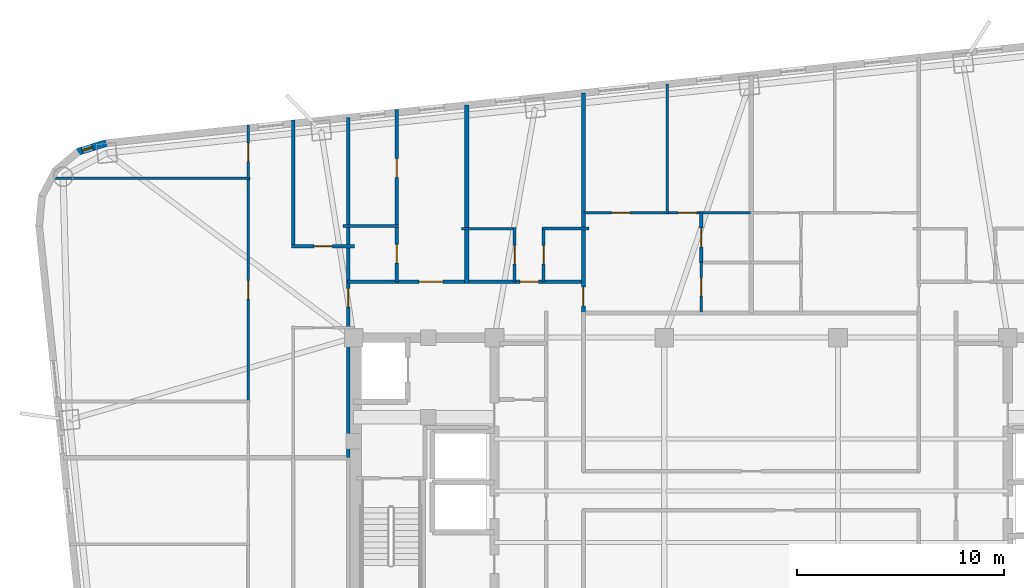
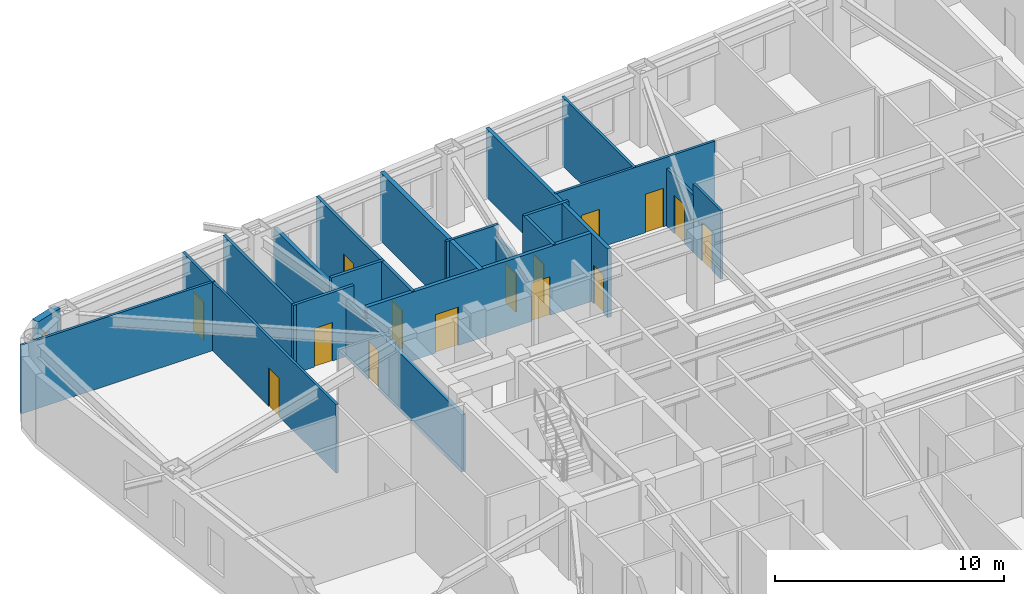
# One storey, part 8 of 12: 21 walls, 15 doors, 1 window, 16 openings.
"""IFC4 building model written with IfcOpenShell, lengths in metres."""

from ifc_helpers import new_model, si_unit, direction, frame, frame_2d, origin, place, context, subcontext, project, spatial, rectangle, extrude, material, layer, layer_set, type_object, element, fill, save


model = new_model("IFC4")

# Units and contexts
model_context = context("Model", 3, precision=1e-05, world=origin(), true_north=direction((0.0, 1.0)))
body_context = subcontext(model_context, "Body", "Model", "MODEL_VIEW")
ifc_project = project(units=[si_unit("LENGTHUNIT", "METRE"), si_unit("AREAUNIT", "SQUARE_METRE"), si_unit("VOLUMEUNIT", "CUBIC_METRE"), si_unit("PLANEANGLEUNIT", "RADIAN"), si_unit("MASSUNIT", "GRAM", prefix="KILO")], contexts=[model_context])

# Site, building, storey
site_placement = place(None, origin())
site = spatial("IfcSite", under=ifc_project, at=site_placement, CompositionType="ELEMENT")
building_placement = place(site_placement, origin())
building = spatial("IfcBuilding", under=site, at=building_placement, Name="Voryun Gate Residences", CompositionType="ELEMENT")
storey_placement = place(building_placement, frame((0.0, 0.0, 167.699951171875)))
storey = spatial("IfcBuildingStorey", under=building, at=storey_placement, Name="L41", CompositionType="ELEMENT", Elevation=167.699951171875)

# Wall, openings, doors
ifc_material_1 = material(Name="Gypsum acoustic fireboard")
ifc_layer_1 = layer(ifc_material_1, 0.179931640625, Name="W_CORR_RATED_180")
ifc_layer_set_1 = layer_set([ifc_layer_1], Name="Gypsum acoustic fireboard")
wall_type_1 = type_object("IfcWallType", Name="W_CORR_RATED_180", PredefinedType="PARTITIONING", material=ifc_layer_set_1)
wall_1_placement = place(storey_placement, frame((-19.5, 10.10009765625, 0.0), z_axis=(0.0, 0.0, 1.0), x_axis=(1.0, 0.0, 0.0)))
wall_1 = element("IfcWall", 1, at=wall_1_placement, inside=storey, type_object=wall_type_1, Name="Partition wall WP-L41-NCORR-W", PredefinedType="PARTITIONING", context=body_context, shape_type="SweptSolid", body=[
    extrude(rectangle(XDim=11.419921875, YDim=0.179931640625, at=frame_2d((5.7099609375, 0.0))), origin(), (0.0, 0.0, 1.0), 3.650146484375),
])
opening_1_placement = place(wall_1_placement, frame((3.46435546875, 0.0, 0.0)))
opening_1 = element("IfcOpeningElement", 2, at=opening_1_placement, cuts=wall_1, Name="Opening D-UNIT-1", PredefinedType="OPENING", context=body_context, shape_type="SweptSolid", body=[
    extrude(rectangle(XDim=1.14990234375, YDim=2.050048828125, at=frame_2d((0.574951171875, 1.02490234375))), frame((0.0, 0.099853515625, 0.0), z_axis=(0.0, -1.0, 0.0), x_axis=(1.0, 0.0, 0.0)), (0.0, 0.0, 1.0), 0.199951171875),
])
opening_2_placement = place(wall_1_placement, frame((8.32275390625, 0.0, 0.0)))
opening_2 = element("IfcOpeningElement", 3, at=opening_2_placement, cuts=wall_1, Name="Opening D-INT-2", PredefinedType="OPENING", context=body_context, shape_type="SweptSolid", body=[
    extrude(rectangle(XDim=0.89990234375, YDim=2.050048828125, at=frame_2d((0.449951171875, 1.02490234375))), frame((0.0, 0.099853515625, 0.0), z_axis=(0.0, -1.0, 0.0), x_axis=(1.0, 0.0, 0.0)), (0.0, 0.0, 1.0), 0.199951171875),
])
ifc_material_2 = material(Name="Architectural oak veneer")
door_type_1 = type_object("IfcDoorType", Name="DR_INT_BATH_900", OperationType="NOTDEFINED", PredefinedType="DOOR", material=ifc_material_2)
door_1_placement = place(opening_2_placement, origin())
door_1 = element("IfcDoor", 4, at=door_1_placement, inside=storey, type_object=door_type_1, Name="Door DR-L41-NENT-2", OperationType="SINGLE_SWING_RIGHT", OverallHeight=2.050048828125, OverallWidth=0.89990234375, PredefinedType="DOOR", context=body_context, shape_type="SweptSolid", body=[
    extrude(rectangle(XDim=0.89990234375, YDim=2.050048828125, at=frame_2d((0.449951171875, 1.02490234375))), frame((0.0, 0.02490234375, 0.0), z_axis=(0.0, -1.0, 0.0), x_axis=(1.0, 0.0, 0.0)), (0.0, 0.0, 1.0), 0.050048828125),
])
fill(opening_2, door_1)
ifc_material_3 = material(Name="Armoured timber-clad fire door", Category="wood")
door_type_2 = type_object("IfcDoorType", Name="DR_UNIT_ENTRY_1150", OperationType="NOTDEFINED", PredefinedType="DOOR", material=ifc_material_3)
door_2_placement = place(opening_1_placement, origin())
door_2 = element("IfcDoor", 5, at=door_2_placement, inside=storey, type_object=door_type_2, Name="Door DR-L41-NENT-1", OperationType="SINGLE_SWING_LEFT", OverallHeight=2.050048828125, OverallWidth=1.14990234375, PredefinedType="DOOR", context=body_context, shape_type="SweptSolid", body=[
    extrude(rectangle(XDim=1.14990234375, YDim=2.050048828125, at=frame_2d((0.574951171875, 1.02490234375))), frame((0.0, 0.02490234375, 0.0), z_axis=(0.0, -1.0, 0.0), x_axis=(1.0, 0.0, 0.0)), (0.0, 0.0, 1.0), 0.050048828125),
])
fill(opening_1, door_2)

# Wall, opening, door
wall_2_placement = place(storey_placement, frame((-8.10009765625, 8.590087890625, 0.0), z_axis=(0.0, 0.0, 1.0), x_axis=(0.0, 1.0, 0.0)))
wall_2 = element("IfcWall", 6, at=wall_2_placement, inside=storey, type_object=wall_type_1, Name="Partition wall WP-L41-NZV-1", PredefinedType="PARTITIONING", context=body_context, shape_type="SweptSolid", body=[
    extrude(rectangle(XDim=10.63623046875, YDim=0.179931640625, at=frame_2d((5.318115234375, 0.0))), origin(), (0.0, 0.0, 1.0), 3.650146484375),
])
opening_3_placement = place(wall_2_placement, frame((0.349853515625, 0.0, 0.0)))
opening_3 = element("IfcOpeningElement", 7, at=opening_3_placement, cuts=wall_2, Name="Opening D-INT-2", PredefinedType="OPENING", context=body_context, shape_type="SweptSolid", body=[
    extrude(rectangle(XDim=0.89990234375, YDim=2.050048828125, at=frame_2d((0.449951171875, 1.02490234375))), frame((0.0, 0.099853515625, 0.0), z_axis=(0.0, -1.0, 0.0), x_axis=(1.0, 0.0, 0.0)), (0.0, 0.0, 1.0), 0.199951171875),
])
door_3_placement = place(opening_3_placement, origin())
door_3 = element("IfcDoor", 8, at=door_3_placement, inside=storey, type_object=door_type_1, Name="Door DR-L41-NZENT-1", OperationType="SINGLE_SWING_LEFT", OverallHeight=2.050048828125, OverallWidth=0.89990234375, PredefinedType="DOOR", context=body_context, shape_type="SweptSolid", body=[
    extrude(rectangle(XDim=0.89990234375, YDim=2.050048828125, at=frame_2d((0.449951171875, 1.02490234375))), frame((0.0, 0.02490234375, 0.0), z_axis=(0.0, -1.0, 0.0), x_axis=(1.0, 0.0, 0.0)), (0.0, 0.0, 1.0), 0.050048828125),
])
fill(opening_3, door_3)

wall_3_placement = place(storey_placement, frame((-19.469970703125, 1.60009765625, 0.0), z_axis=(0.0, 0.0, 1.0), x_axis=(0.0, 1.0, 0.0)))
wall_3 = element("IfcWall", 9, at=wall_3_placement, inside=storey, type_object=wall_type_1, Name="Partition wall WP-L41-WCOR2", PredefinedType="PARTITIONING", context=body_context, shape_type="SweptSolid", body=[
    extrude(rectangle(XDim=16.431396484375, YDim=0.179931640625, at=frame_2d((8.2158203125, 0.0))), origin(), (0.0, 0.0, 1.0), 3.0400390625),
])
opening_4_placement = place(wall_3_placement, frame((7.279296875, 0.0, 0.0)))
opening_4 = element("IfcOpeningElement", 10, at=opening_4_placement, cuts=wall_3, Name="Opening D-INT-2", PredefinedType="OPENING", context=body_context, shape_type="SweptSolid", body=[
    extrude(rectangle(XDim=0.89990234375, YDim=2.050048828125, at=frame_2d((0.449951171875, 1.02490234375))), frame((0.0, 0.099853515625, 0.0), z_axis=(0.0, -1.0, 0.0), x_axis=(1.0, 0.0, 0.0)), (0.0, 0.0, 1.0), 0.199951171875),
])
door_4_placement = place(opening_4_placement, origin())
door_4 = element("IfcDoor", 11, at=door_4_placement, inside=storey, type_object=door_type_1, Name="Door DR-L41-WE2", OperationType="SINGLE_SWING_RIGHT", OverallHeight=2.050048828125, OverallWidth=0.89990234375, PredefinedType="DOOR", context=body_context, shape_type="SweptSolid", body=[
    extrude(rectangle(XDim=0.89990234375, YDim=2.050048828125, at=frame_2d((0.449951171875, 1.02490234375))), frame((0.0, 0.02490234375, 0.0), z_axis=(0.0, -1.0, 0.0), x_axis=(1.0, 0.0, 0.0)), (0.0, 0.0, 1.0), 0.050048828125),
])
fill(opening_4, door_4)

# Wall, opening, window
ifc_material_4 = material(Name="Charcoal terracotta masonry", Category="masonry")
ifc_layer_2 = layer(ifc_material_4, 0.340087890625, Name="W_EXT_TERRACOTTA_340")
ifc_layer_set_2 = layer_set([ifc_layer_2], Name="Charcoal terracotta masonry")
wall_type_2 = type_object("IfcWallType", Name="W_EXT_TERRACOTTA_340", PredefinedType="ELEMENTEDWALL", material=ifc_layer_set_2)
wall_4_placement = place(storey_placement, frame((-32.523193359375, 16.37841796875, 0.0), z_axis=(0.0, 0.0, 1.0), x_axis=(0.9549942197, 0.296624409546, 0.0)))
wall_4 = element("IfcWall", 12, at=wall_4_placement, inside=storey, type_object=wall_type_2, Name="Exterior wall WEXT-L41-10", PredefinedType="ELEMENTEDWALL", context=body_context, shape_type="SweptSolid", body=[
    extrude(rectangle(XDim=1.43212890625, YDim=0.340087890625, at=frame_2d((0.716064453125, 0.0))), origin(), (0.0, 0.0, 1.0), 3.650146484375),
])
opening_5_placement = place(wall_4_placement, frame((0.216064453125, 0.0, 0.75)))
opening_5 = element("IfcOpeningElement", 13, at=opening_5_placement, cuts=wall_4, Name="Opening WN10", PredefinedType="OPENING", context=body_context, shape_type="SweptSolid", body=[
    extrude(rectangle(XDim=0.52001953125, YDim=2.050048828125, at=frame_2d((0.260009765625, 1.02490234375))), frame((0.0, 0.179931640625, 0.0), z_axis=(0.0, -1.0, 0.0), x_axis=(1.0, 0.0, 0.0)), (0.0, 0.0, 1.0), 0.360107421875),
])
ifc_material_5 = material(Name="Laminated low-E glass", Category="glass")
window_type = type_object("IfcWindowType", Name="WN_PAGODA_LANCET_520", PartitioningType="SINGLE_PANEL", PredefinedType="WINDOW", material=ifc_material_5)
window_placement = place(opening_5_placement, origin())
window = element("IfcWindow", 14, at=window_placement, inside=storey, type_object=window_type, Name="Window WN-L41-DWFIX-24", OverallHeight=2.050048828125, OverallWidth=0.52001953125, PartitioningType="SINGLE_PANEL", PredefinedType="WINDOW", context=body_context, shape_type="SweptSolid", body=[
    extrude(rectangle(XDim=0.52001953125, YDim=2.050048828125, at=frame_2d((0.260009765625, 1.02490234375))), frame((0.0, 0.030029296875, 0.0), z_axis=(0.0, -1.0, 0.0), x_axis=(1.0, 0.0, 0.0)), (0.0, 0.0, 1.0), 0.06005859375),
])
fill(opening_5, window)

# Wall
ifc_material_6 = material(Name="Concrete C40/50", Category="concrete")
ifc_layer_3 = layer(ifc_material_6, 0.219970703125, Name="W_PARTY_ACOUSTIC_220")
ifc_layer_set_3 = layer_set([ifc_layer_3], Name="Concrete C40/50")
wall_type_3 = type_object("IfcWallType", Name="W_PARTY_ACOUSTIC_220", PredefinedType="PARTITIONING", material=ifc_layer_set_3)
wall_5_placement = place(storey_placement, frame((-13.739990234375, 10.02001953125, 0.0), z_axis=(0.0, 0.0, 1.0), x_axis=(0.0, 1.0, 0.0)))
element("IfcWall", 15, at=wall_5_placement, inside=storey, type_object=wall_type_3, Name="Partition wall WP-L41-NPTY-1", PredefinedType="PARTITIONING", context=body_context, shape_type="SweptSolid", body=[
    extrude(rectangle(XDim=8.613525390625, YDim=0.219970703125, at=frame_2d((4.306640625, 0.0))), origin(), (0.0, 0.0, 1.0), 3.650146484375),
])

# Wall, opening, door
ifc_material_7 = material(Name="Gypsum acoustic partition")
ifc_layer_4 = layer(ifc_material_7, 0.125, Name="W_UNIT_PART_125")
ifc_layer_set_4 = layer_set([ifc_layer_4], Name="Gypsum acoustic partition")
wall_type_4 = type_object("IfcWallType", Name="W_UNIT_PART_125", PredefinedType="PARTITIONING", material=ifc_layer_set_4)
wall_6_placement = place(storey_placement, frame((-11.429931640625, 10.080078125, 0.0), z_axis=(0.0, 0.0, 1.0), x_axis=(0.0, 1.0, 0.0)))
wall_6 = element("IfcWall", 16, at=wall_6_placement, inside=storey, type_object=wall_type_4, Name="Partition wall WP-L41-N2-CVK", PredefinedType="PARTITIONING", context=body_context, shape_type="SweptSolid", body=[
    extrude(rectangle(XDim=2.64990234375, YDim=0.125, at=frame_2d((1.324951171875, 0.0))), origin(), (0.0, 0.0, 1.0), 3.0400390625),
])
opening_6_placement = place(wall_6_placement, frame((0.875, 0.0, 0.0)))
opening_6 = element("IfcOpeningElement", 17, at=opening_6_placement, cuts=wall_6, Name="Opening D-INT-2", PredefinedType="OPENING", context=body_context, shape_type="SweptSolid", body=[
    extrude(rectangle(XDim=0.89990234375, YDim=2.050048828125, at=frame_2d((0.449951171875, 1.02490234375))), frame((0.0, 0.072509765625, 0.0), z_axis=(0.0, -1.0, 0.0), x_axis=(1.0, 0.0, 0.0)), (0.0, 0.0, 1.0), 0.14501953125),
])
door_5_placement = place(opening_6_placement, origin())
door_5 = element("IfcDoor", 18, at=door_5_placement, inside=storey, type_object=door_type_1, Name="Door DR-L41-N2-DK", OperationType="SINGLE_SWING_LEFT", OverallHeight=2.050048828125, OverallWidth=0.89990234375, PredefinedType="DOOR", context=body_context, shape_type="SweptSolid", body=[
    extrude(rectangle(XDim=0.89990234375, YDim=2.050048828125, at=frame_2d((0.449951171875, 1.02490234375))), frame((0.0, 0.02490234375, 0.0), z_axis=(0.0, -1.0, 0.0), x_axis=(1.0, 0.0, 0.0)), (0.0, 0.0, 1.0), 0.050048828125),
])
fill(opening_6, door_5)

# Wall
wall_7_placement = place(storey_placement, frame((-14.0, 12.669921875, 0.0), z_axis=(0.0, 0.0, 1.0), x_axis=(1.0, 0.0, 0.0)))
element("IfcWall", 19, at=wall_7_placement, inside=storey, type_object=wall_type_4, Name="Partition wall WP-L41-N2-CHK", PredefinedType="PARTITIONING", context=body_context, shape_type="SweptSolid", body=[
    extrude(rectangle(XDim=2.6298828125, YDim=0.125, at=frame_2d((1.31494140625, 0.0))), origin(), (0.0, 0.0, 1.0), 3.650146484375),
])

# Wall, openings, doors
wall_8_placement = place(storey_placement, frame((-8.080078125, 13.429931640625, 0.0), z_axis=(0.0, 0.0, 1.0), x_axis=(1.0, 0.0, 0.0)))
wall_8 = element("IfcWall", 20, at=wall_8_placement, inside=storey, type_object=wall_type_4, Name="Partition wall WP-L41-NC1-HZ", PredefinedType="PARTITIONING", context=body_context, shape_type="SweptSolid", body=[
    extrude(rectangle(XDim=8.06005859375, YDim=0.125, at=frame_2d((4.030029296875, 0.0))), origin(), (0.0, 0.0, 1.0), 3.650146484375),
])
opening_7_placement = place(wall_8_placement, frame((1.3232421875, 0.0, 0.0)))
opening_7 = element("IfcOpeningElement", 21, at=opening_7_placement, cuts=wall_8, Name="Opening D-INT-2", PredefinedType="OPENING", context=body_context, shape_type="SweptSolid", body=[
    extrude(rectangle(XDim=0.89990234375, YDim=2.050048828125, at=frame_2d((0.449951171875, 1.02490234375))), frame((0.0, 0.072509765625, 0.0), z_axis=(0.0, -1.0, 0.0), x_axis=(1.0, 0.0, 0.0)), (0.0, 0.0, 1.0), 0.14501953125),
])
opening_8_placement = place(wall_8_placement, frame((4.547119140625, 0.0, 0.0)))
opening_8 = element("IfcOpeningElement", 22, at=opening_8_placement, cuts=wall_8, Name="Opening D-INT-2", PredefinedType="OPENING", context=body_context, shape_type="SweptSolid", body=[
    extrude(rectangle(XDim=0.89990234375, YDim=2.050048828125, at=frame_2d((0.449951171875, 1.02490234375))), frame((0.0, 0.072509765625, 0.0), z_axis=(0.0, -1.0, 0.0), x_axis=(1.0, 0.0, 0.0)), (0.0, 0.0, 1.0), 0.14501953125),
])
door_6_placement = place(opening_7_placement, origin())
door_6 = element("IfcDoor", 23, at=door_6_placement, inside=storey, type_object=door_type_1, Name="Door DR-L41-NC1-DMB", OperationType="SINGLE_SWING_LEFT", OverallHeight=2.050048828125, OverallWidth=0.89990234375, PredefinedType="DOOR", context=body_context, shape_type="SweptSolid", body=[
    extrude(rectangle(XDim=0.89990234375, YDim=2.050048828125, at=frame_2d((0.449951171875, 1.02490234375))), frame((0.0, 0.02490234375, 0.0), z_axis=(0.0, -1.0, 0.0), x_axis=(1.0, 0.0, 0.0)), (0.0, 0.0, 1.0), 0.050048828125),
])
fill(opening_7, door_6)
door_7_placement = place(opening_8_placement, origin())
door_7 = element("IfcDoor", 24, at=door_7_placement, inside=storey, type_object=door_type_1, Name="Door DR-L41-NC1-DBD2", OperationType="SINGLE_SWING_RIGHT", OverallHeight=2.050048828125, OverallWidth=0.89990234375, PredefinedType="DOOR", context=body_context, shape_type="SweptSolid", body=[
    extrude(rectangle(XDim=0.89990234375, YDim=2.050048828125, at=frame_2d((0.449951171875, 1.02490234375))), frame((0.0, 0.02490234375, 0.0), z_axis=(0.0, -1.0, 0.0), x_axis=(1.0, 0.0, 0.0)), (0.0, 0.0, 1.0), 0.050048828125),
])
fill(opening_8, door_7)

# Wall, opening, door
wall_9_placement = place(storey_placement, frame((-2.409912109375, 8.64990234375, 0.0), z_axis=(0.0, 0.0, 1.0), x_axis=(0.0, 1.0, 0.0)))
wall_9 = element("IfcWall", 25, at=wall_9_placement, inside=storey, type_object=wall_type_4, Name="Partition wall WP-L41-NC1-VK1", PredefinedType="PARTITIONING", context=body_context, shape_type="SweptSolid", body=[
    extrude(rectangle(XDim=2.41015625, YDim=0.125, at=frame_2d((1.205078125, 0.0))), origin(), (0.0, 0.0, 1.0), 3.650146484375),
])
opening_9_placement = place(wall_9_placement, frame((0.7548828125, 0.0, 0.0)))
opening_9 = element("IfcOpeningElement", 26, at=opening_9_placement, cuts=wall_9, Name="Opening D-INT-2", PredefinedType="OPENING", context=body_context, shape_type="SweptSolid", body=[
    extrude(rectangle(XDim=0.89990234375, YDim=2.050048828125, at=frame_2d((0.449951171875, 1.02490234375))), frame((0.0, 0.072509765625, 0.0), z_axis=(0.0, -1.0, 0.0), x_axis=(1.0, 0.0, 0.0)), (0.0, 0.0, 1.0), 0.14501953125),
])
door_8_placement = place(opening_9_placement, origin())
door_8 = element("IfcDoor", 27, at=door_8_placement, inside=storey, type_object=door_type_1, Name="Door DR-L41-NC1-DK", OperationType="SINGLE_SWING_LEFT", OverallHeight=2.050048828125, OverallWidth=0.89990234375, PredefinedType="DOOR", context=body_context, shape_type="SweptSolid", body=[
    extrude(rectangle(XDim=0.89990234375, YDim=2.050048828125, at=frame_2d((0.449951171875, 1.02490234375))), frame((0.0, 0.02490234375, 0.0), z_axis=(0.0, -1.0, 0.0), x_axis=(1.0, 0.0, 0.0)), (0.0, 0.0, 1.0), 0.050048828125),
])
fill(opening_9, door_8)

# Walls
wall_10_placement = place(storey_placement, frame((-4.050048828125, 13.389892578125, 0.0), z_axis=(0.0, 0.0, 1.0), x_axis=(0.0, 1.0, 0.0)))
element("IfcWall", 28, at=wall_10_placement, inside=storey, type_object=wall_type_4, Name="Partition wall WP-L41-NC1-VBD", PredefinedType="PARTITIONING", context=body_context, shape_type="SweptSolid", body=[
    extrude(rectangle(XDim=6.26220703125, YDim=0.125, at=frame_2d((3.131103515625, 0.0))), origin(), (0.0, 0.0, 1.0), 3.650146484375),
])
wall_11_placement = place(storey_placement, frame((-33.978271484375, 15.097900390625, 0.0), z_axis=(0.0, 0.0, 1.0), x_axis=(1.0, 0.0, 0.0)))
element("IfcWall", 29, at=wall_11_placement, inside=storey, type_object=wall_type_4, Name="Partition wall WP-L41-W2-OH2", PredefinedType="PARTITIONING", context=body_context, shape_type="SweptSolid", body=[
    extrude(rectangle(XDim=9.75830078125, YDim=0.125, at=frame_2d((4.879150390625, 0.0))), origin(), (0.0, 0.0, 1.0), 3.650146484375),
])

# Wall, opening, door
wall_12_placement = place(storey_placement, frame((-24.300048828125, 4.264892578125, 0.0), z_axis=(0.0, 0.0, 1.0), x_axis=(0.0, 1.0, 0.0)))
wall_12 = element("IfcWall", 30, at=wall_12_placement, inside=storey, type_object=wall_type_4, Name="Partition wall WP-L41-W2-OVX2", PredefinedType="PARTITIONING", context=body_context, shape_type="SweptSolid", body=[
    extrude(rectangle(XDim=10.883056640625, YDim=0.125, at=frame_2d((5.44140625, 0.0))), origin(), (0.0, 0.0, 1.0), 3.650146484375),
])
opening_10_placement = place(wall_12_placement, frame((4.991455078125, 0.0, 0.0)))
opening_10 = element("IfcOpeningElement", 31, at=opening_10_placement, cuts=wall_12, Name="Opening D-INT-2", PredefinedType="OPENING", context=body_context, shape_type="SweptSolid", body=[
    extrude(rectangle(XDim=0.89990234375, YDim=2.050048828125, at=frame_2d((0.449951171875, 1.02490234375))), frame((0.0, 0.072509765625, 0.0), z_axis=(0.0, -1.0, 0.0), x_axis=(1.0, 0.0, 0.0)), (0.0, 0.0, 1.0), 0.14501953125),
])
door_9_placement = place(opening_10_placement, origin())
door_9 = element("IfcDoor", 32, at=door_9_placement, inside=storey, type_object=door_type_1, Name="Door DR-L41-W2-DSTD", OperationType="SINGLE_SWING_RIGHT", OverallHeight=2.050048828125, OverallWidth=0.89990234375, PredefinedType="DOOR", context=body_context, shape_type="SweptSolid", body=[
    extrude(rectangle(XDim=0.89990234375, YDim=2.050048828125, at=frame_2d((0.449951171875, 1.02490234375))), frame((0.0, 0.02490234375, 0.0), z_axis=(0.0, -1.0, 0.0), x_axis=(1.0, 0.0, 0.0)), (0.0, 0.0, 1.0), 0.050048828125),
])
fill(opening_10, door_9)

wall_13_placement = place(storey_placement, frame((-24.300048828125, 15.048095703125, 0.0), z_axis=(0.0, 0.0, 1.0), x_axis=(0.0, 1.0, 0.0)))
wall_13 = element("IfcWall", 33, at=wall_13_placement, inside=storey, type_object=wall_type_4, Name="Partition wall WP-L41-W2-OVX3", PredefinedType="PARTITIONING", context=body_context, shape_type="SweptSolid", body=[
    extrude(rectangle(XDim=2.62646484375, YDim=0.125, at=frame_2d((1.313232421875, 0.0))), origin(), (0.0, 0.0, 1.0), 3.650146484375),
])
opening_11_placement = place(wall_13_placement, frame((0.86328125, 0.0, 0.0)))
opening_11 = element("IfcOpeningElement", 34, at=opening_11_placement, cuts=wall_13, Name="Opening D-INT-2", PredefinedType="OPENING", context=body_context, shape_type="SweptSolid", body=[
    extrude(rectangle(XDim=0.89990234375, YDim=2.050048828125, at=frame_2d((0.449951171875, 1.02490234375))), frame((0.0, 0.072509765625, 0.0), z_axis=(0.0, -1.0, 0.0), x_axis=(1.0, 0.0, 0.0)), (0.0, 0.0, 1.0), 0.14501953125),
])
door_10_placement = place(opening_11_placement, origin())
door_10 = element("IfcDoor", 35, at=door_10_placement, inside=storey, type_object=door_type_1, Name="Door DR-L41-W2-DMB", OperationType="SINGLE_SWING_LEFT", OverallHeight=2.050048828125, OverallWidth=0.89990234375, PredefinedType="DOOR", context=body_context, shape_type="SweptSolid", body=[
    extrude(rectangle(XDim=0.89990234375, YDim=2.050048828125, at=frame_2d((0.449951171875, 1.02490234375))), frame((0.0, 0.02490234375, 0.0), z_axis=(0.0, -1.0, 0.0), x_axis=(1.0, 0.0, 0.0)), (0.0, 0.0, 1.0), 0.050048828125),
])
fill(opening_11, door_10)

# Wall
ifc_material_8 = material(Name="Gypsum moisture-resistant partition")
ifc_layer_5 = layer(ifc_material_8, 0.14990234375, Name="W_WET_PLUMB_150")
ifc_layer_set_5 = layer_set([ifc_layer_5], Name="Gypsum moisture-resistant partition")
wall_type_5 = type_object("IfcWallType", Name="W_WET_PLUMB_150", PredefinedType="PLUMBINGWALL", material=ifc_layer_set_5)
wall_14_placement = place(storey_placement, frame((-19.719970703125, 12.800048828125, 0.0), z_axis=(0.0, 0.0, 1.0), x_axis=(1.0, 0.0, 0.0)))
element("IfcWall", 36, at=wall_14_placement, inside=storey, type_object=wall_type_5, Name="Partition wall WP-L41-N1-SKB", PredefinedType="PLUMBINGWALL", context=body_context, shape_type="SweptSolid", body=[
    extrude(rectangle(XDim=2.678955078125, YDim=0.14990234375, at=frame_2d((1.33935546875, 0.0))), origin(), (0.0, 0.0, 1.0), 3.650146484375),
])

# Wall, opening, door
wall_15_placement = place(storey_placement, frame((-17.12109375, 10.080078125, 0.0), z_axis=(0.0, 0.0, 1.0), x_axis=(0.0, 1.0, 0.0)))
wall_15 = element("IfcWall", 37, at=wall_15_placement, inside=storey, type_object=wall_type_5, Name="Partition wall WP-L41-N1-SVT1", PredefinedType="PLUMBINGWALL", context=body_context, shape_type="SweptSolid", body=[
    extrude(rectangle(XDim=2.760009765625, YDim=0.14990234375, at=frame_2d((1.3798828125, 0.0))), origin(), (0.0, 0.0, 1.0), 3.650146484375),
])
opening_12_placement = place(wall_15_placement, frame((0.929931640625, 0.0, 0.0)))
opening_12 = element("IfcOpeningElement", 38, at=opening_12_placement, cuts=wall_15, Name="Opening D-INT-2", PredefinedType="OPENING", context=body_context, shape_type="SweptSolid", body=[
    extrude(rectangle(XDim=0.89990234375, YDim=2.050048828125, at=frame_2d((0.449951171875, 1.02490234375))), frame((0.0, 0.0849609375, 0.0), z_axis=(0.0, -1.0, 0.0), x_axis=(1.0, 0.0, 0.0)), (0.0, 0.0, 1.0), 0.169921875),
])
door_11_placement = place(opening_12_placement, origin())
door_11 = element("IfcDoor", 39, at=door_11_placement, inside=storey, type_object=door_type_1, Name="Door DR-L41-N1-DB", OperationType="SINGLE_SWING_LEFT", OverallHeight=2.050048828125, OverallWidth=0.89990234375, PredefinedType="DOOR", context=body_context, shape_type="SweptSolid", body=[
    extrude(rectangle(XDim=0.89990234375, YDim=2.050048828125, at=frame_2d((0.449951171875, 1.02490234375))), frame((0.0, 0.02490234375, 0.0), z_axis=(0.0, -1.0, 0.0), x_axis=(1.0, 0.0, 0.0)), (0.0, 0.0, 1.0), 0.050048828125),
])
fill(opening_12, door_11)

wall_16_placement = place(storey_placement, frame((-17.12109375, 12.760009765625, 0.0), z_axis=(0.0, 0.0, 1.0), x_axis=(0.0, 1.0, 0.0)))
wall_16 = element("IfcWall", 40, at=wall_16_placement, inside=storey, type_object=wall_type_5, Name="Partition wall WP-L41-N1-SVT2", PredefinedType="PLUMBINGWALL", context=body_context, shape_type="SweptSolid", body=[
    extrude(rectangle(XDim=5.669189453125, YDim=0.14990234375, at=frame_2d((2.83447265625, 0.0))), origin(), (0.0, 0.0, 1.0), 3.650146484375),
])
opening_13_placement = place(wall_16_placement, frame((2.384521484375, 0.0, 0.0)))
opening_13 = element("IfcOpeningElement", 41, at=opening_13_placement, cuts=wall_16, Name="Opening D-INT-2", PredefinedType="OPENING", context=body_context, shape_type="SweptSolid", body=[
    extrude(rectangle(XDim=0.89990234375, YDim=2.050048828125, at=frame_2d((0.449951171875, 1.02490234375))), frame((0.0, 0.0849609375, 0.0), z_axis=(0.0, -1.0, 0.0), x_axis=(1.0, 0.0, 0.0)), (0.0, 0.0, 1.0), 0.169921875),
])
door_12_placement = place(opening_13_placement, origin())
door_12 = element("IfcDoor", 42, at=door_12_placement, inside=storey, type_object=door_type_1, Name="Door DR-L41-N1-DK", OperationType="SINGLE_SWING_RIGHT", OverallHeight=2.050048828125, OverallWidth=0.89990234375, PredefinedType="DOOR", context=body_context, shape_type="SweptSolid", body=[
    extrude(rectangle(XDim=0.89990234375, YDim=2.050048828125, at=frame_2d((0.449951171875, 1.02490234375))), frame((0.0, 0.02490234375, 0.0), z_axis=(0.0, -1.0, 0.0), x_axis=(1.0, 0.0, 0.0)), (0.0, 0.0, 1.0), 0.050048828125),
])
fill(opening_13, door_12)

wall_17_placement = place(storey_placement, frame((-10.02392578125, 10.080078125, 0.0), z_axis=(0.0, 0.0, 1.0), x_axis=(0.0, 1.0, 0.0)))
wall_17 = element("IfcWall", 43, at=wall_17_placement, inside=storey, type_object=wall_type_5, Name="Partition wall WP-L41-N2-CVB", PredefinedType="PLUMBINGWALL", context=body_context, shape_type="SweptSolid", body=[
    extrude(rectangle(XDim=2.64990234375, YDim=0.14990234375, at=frame_2d((1.324951171875, 0.0))), origin(), (0.0, 0.0, 1.0), 3.650146484375),
])
opening_14_placement = place(wall_17_placement, frame((0.875, 0.0, 0.0)))
opening_14 = element("IfcOpeningElement", 44, at=opening_14_placement, cuts=wall_17, Name="Opening D-INT-2", PredefinedType="OPENING", context=body_context, shape_type="SweptSolid", body=[
    extrude(rectangle(XDim=0.89990234375, YDim=2.050048828125, at=frame_2d((0.449951171875, 1.02490234375))), frame((0.0, 0.0849609375, 0.0), z_axis=(0.0, -1.0, 0.0), x_axis=(1.0, 0.0, 0.0)), (0.0, 0.0, 1.0), 0.169921875),
])
door_13_placement = place(opening_14_placement, origin())
door_13 = element("IfcDoor", 45, at=door_13_placement, inside=storey, type_object=door_type_1, Name="Door DR-L41-N2-DB", OperationType="SINGLE_SWING_RIGHT", OverallHeight=2.050048828125, OverallWidth=0.89990234375, PredefinedType="DOOR", context=body_context, shape_type="SweptSolid", body=[
    extrude(rectangle(XDim=0.89990234375, YDim=2.050048828125, at=frame_2d((0.449951171875, 1.02490234375))), frame((0.0, 0.02490234375, 0.0), z_axis=(0.0, -1.0, 0.0), x_axis=(1.0, 0.0, 0.0)), (0.0, 0.0, 1.0), 0.050048828125),
])
fill(opening_14, door_13)

# Wall
wall_18_placement = place(storey_placement, frame((-10.083984375, 12.669921875, 0.0), z_axis=(0.0, 0.0, 1.0), x_axis=(1.0, 0.0, 0.0)))
element("IfcWall", 46, at=wall_18_placement, inside=storey, type_object=wall_type_5, Name="Partition wall WP-L41-N2-CHB", PredefinedType="PLUMBINGWALL", context=body_context, shape_type="SweptSolid", body=[
    extrude(rectangle(XDim=2.263916015625, YDim=0.14990234375, at=frame_2d((1.1318359375, 0.0))), origin(), (0.0, 0.0, 1.0), 3.650146484375),
])

# Wall, opening, door
wall_19_placement = place(storey_placement, frame((-2.409912109375, 11.0, 0.0), z_axis=(0.0, 0.0, 1.0), x_axis=(0.0, 1.0, 0.0)))
wall_19 = element("IfcWall", 47, at=wall_19_placement, inside=storey, type_object=wall_type_5, Name="Partition wall WP-L41-NC1-VK2", PredefinedType="PLUMBINGWALL", context=body_context, shape_type="SweptSolid", body=[
    extrude(rectangle(XDim=2.469970703125, YDim=0.14990234375, at=frame_2d((1.23486328125, 0.0))), origin(), (0.0, 0.0, 1.0), 3.0400390625),
])
opening_15_placement = place(wall_19_placement, frame((0.784912109375, 0.0, 0.0)))
opening_15 = element("IfcOpeningElement", 48, at=opening_15_placement, cuts=wall_19, Name="Opening D-INT-2", PredefinedType="OPENING", context=body_context, shape_type="SweptSolid", body=[
    extrude(rectangle(XDim=0.89990234375, YDim=2.050048828125, at=frame_2d((0.449951171875, 1.02490234375))), frame((0.0, 0.0849609375, 0.0), z_axis=(0.0, -1.0, 0.0), x_axis=(1.0, 0.0, 0.0)), (0.0, 0.0, 1.0), 0.169921875),
])
door_14_placement = place(opening_15_placement, origin())
door_14 = element("IfcDoor", 49, at=door_14_placement, inside=storey, type_object=door_type_1, Name="Door DR-L41-NC1-DB", OperationType="SINGLE_SWING_RIGHT", OverallHeight=2.050048828125, OverallWidth=0.89990234375, PredefinedType="DOOR", context=body_context, shape_type="SweptSolid", body=[
    extrude(rectangle(XDim=0.89990234375, YDim=2.050048828125, at=frame_2d((0.449951171875, 1.02490234375))), frame((0.0, 0.02490234375, 0.0), z_axis=(0.0, -1.0, 0.0), x_axis=(1.0, 0.0, 0.0)), (0.0, 0.0, 1.0), 0.050048828125),
])
fill(opening_15, door_14)

wall_20_placement = place(storey_placement, frame((-22.199951171875, 11.81396484375, 0.0), z_axis=(0.0, 0.0, 1.0), x_axis=(1.0, 0.0, 0.0)))
wall_20 = element("IfcWall", 50, at=wall_20_placement, inside=storey, type_object=wall_type_5, Name="Partition wall WP-L41-W2-IBB", PredefinedType="PLUMBINGWALL", context=body_context, shape_type="SweptSolid", body=[
    extrude(rectangle(XDim=3.050048828125, YDim=0.14990234375, at=frame_2d((1.52490234375, 0.0))), origin(), (0.0, 0.0, 1.0), 3.650146484375),
])
opening_16_placement = place(wall_20_placement, frame((1.074951171875, 0.0, 0.0)))
opening_16 = element("IfcOpeningElement", 51, at=opening_16_placement, cuts=wall_20, Name="Opening D-INT-2", PredefinedType="OPENING", context=body_context, shape_type="SweptSolid", body=[
    extrude(rectangle(XDim=0.89990234375, YDim=2.050048828125, at=frame_2d((0.449951171875, 1.02490234375))), frame((0.0, 0.0849609375, 0.0), z_axis=(0.0, -1.0, 0.0), x_axis=(1.0, 0.0, 0.0)), (0.0, 0.0, 1.0), 0.169921875),
])
door_15_placement = place(opening_16_placement, origin())
door_15 = element("IfcDoor", 52, at=door_15_placement, inside=storey, type_object=door_type_1, Name="Door DR-L41-W2-DB", OperationType="SINGLE_SWING_RIGHT", OverallHeight=2.050048828125, OverallWidth=0.89990234375, PredefinedType="DOOR", context=body_context, shape_type="SweptSolid", body=[
    extrude(rectangle(XDim=0.89990234375, YDim=2.050048828125, at=frame_2d((0.449951171875, 1.02490234375))), frame((0.0, 0.02490234375, 0.0), z_axis=(0.0, -1.0, 0.0), x_axis=(1.0, 0.0, 0.0)), (0.0, 0.0, 1.0), 0.050048828125),
])
fill(opening_16, door_15)

# Wall
wall_21_placement = place(storey_placement, frame((-22.1201171875, 11.73388671875, 0.0), z_axis=(0.0, 0.0, 1.0), x_axis=(0.0, 1.0, 0.0)))
element("IfcWall", 53, at=wall_21_placement, inside=storey, type_object=wall_type_5, Name="Partition wall WP-L41-W2-VTB", PredefinedType="PLUMBINGWALL", context=body_context, shape_type="SweptSolid", body=[
    extrude(rectangle(XDim=6.169921875, YDim=0.14990234375, at=frame_2d((3.0849609375, 0.0))), origin(), (0.0, 0.0, 1.0), 3.650146484375),
])

save(model, "model.ifc")
